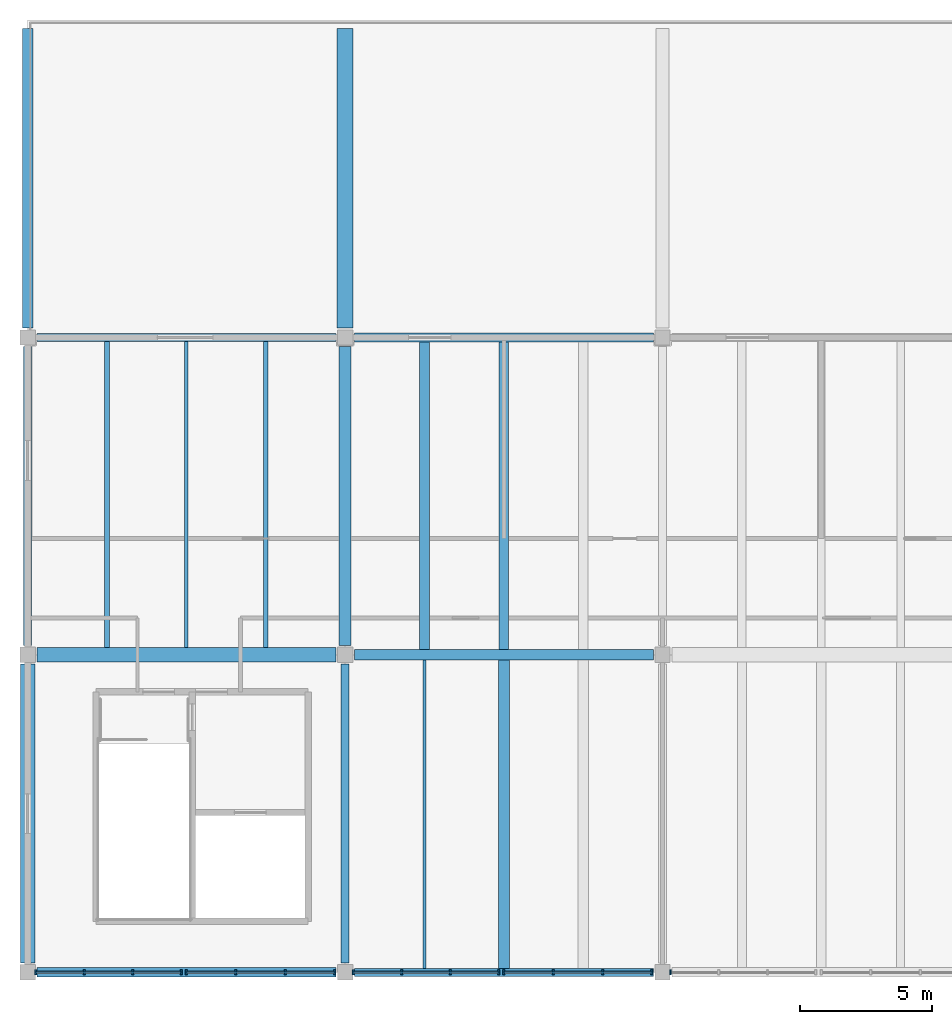
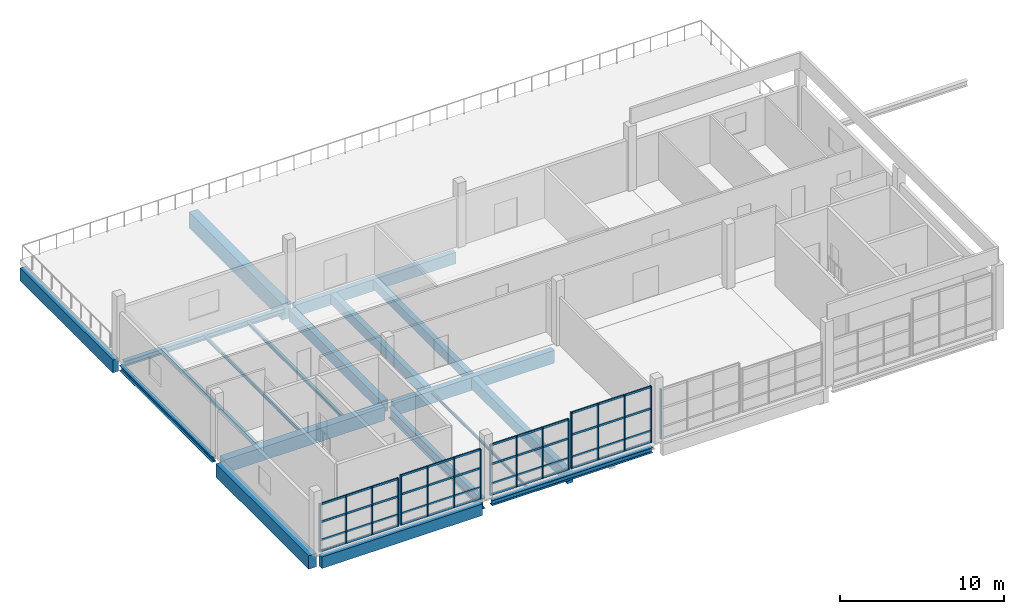
# One storey, part 2 of 8: 33 members, 19 beams, 5 elements without a shape of their own.
"""IFC4 building model written with IfcOpenShell, lengths in metres."""

from ifc_helpers import new_model, si_unit, direction, frame, origin, origin_2d, place, context, subcontext, project, spatial, rectangle, i_section, extrude, material, material_profile, profile_set, type_object, element, aggregate, save


model = new_model("IFC4")

# Units and contexts
model_context = context("Model", 3, precision=1e-05, world=origin(), true_north=direction((0.0, 1.0)))
body_context = subcontext(model_context, "Body", "Model", "MODEL_VIEW")
ifc_project = project(units=[si_unit("LENGTHUNIT", "METRE"), si_unit("AREAUNIT", "SQUARE_METRE"), si_unit("VOLUMEUNIT", "CUBIC_METRE"), si_unit("PLANEANGLEUNIT", "RADIAN"), si_unit("MASSUNIT", "GRAM", prefix="KILO")], contexts=[model_context])

# Site, building, storey
site_placement = place(None, origin())
site = spatial("IfcSite", under=ifc_project, at=site_placement, CompositionType="ELEMENT")
building_placement = place(site_placement, origin())
building = spatial("IfcBuilding", under=site, at=building_placement, Name="Kamomehara Wholesale Market", CompositionType="ELEMENT")
storey_placement = place(building_placement, frame((0.0, 0.0, 16.199951171875)))
storey = spatial("IfcBuildingStorey", under=building, at=storey_placement, Name="L03", CompositionType="ELEMENT", Elevation=16.199951171875)

# Beams
ifc_material_1 = material(Name="Precast concrete Fc45 (C40/50)", Category="concrete")
ifc_material_profile_1 = material_profile(ifc_material_1, rectangle(XDim=0.60009765625, YDim=1.199951171875, at=origin_2d()), Name="PC-GRD-600x1200")
ifc_profile_set_1 = profile_set([ifc_material_profile_1], Name="Precast concrete Fc45 (C40/50)")
beam_type_1 = type_object("IfcBeamType", Name="BM-PG1200", PredefinedType="T_BEAM", material=ifc_profile_set_1)
beam_1_placement = place(storey_placement, frame((120.0, 36.35009765625, -0.947021484375), z_axis=(0.0, 1.0, 0.0), x_axis=(-1.0, 0.0, 0.0)))
element("IfcBeam", 1, at=beam_1_placement, inside=storey, type_object=beam_type_1, Name="Beam PG-05 L03", PredefinedType="T_BEAM", context=body_context, shape_type="SweptSolid", body=[
    extrude(rectangle(XDim=0.60009765625, YDim=1.199951171875, at=origin_2d()), origin(), (0.0, 0.0, 1.0), 11.324951171875),
])
ifc_material_2 = material(Name="Precast concrete Fc45 (C40/50)", Category="concrete")
ifc_material_profile_2 = material_profile(ifc_material_2, rectangle(XDim=0.449951171875, YDim=0.85009765625, at=origin_2d()), Name="PC-GRD-450x850")
ifc_profile_set_2 = profile_set([ifc_material_profile_2], Name="Precast concrete Fc45 (C40/50)")
beam_type_2 = type_object("IfcBeamType", Name="BM-PG850", PredefinedType="T_BEAM", material=ifc_profile_set_2)
beam_2_placement = place(storey_placement, frame((120.0, 24.35009765625, -0.7568359375), z_axis=(0.0, 1.0, 0.0), x_axis=(-1.0, 0.0, 0.0)))
element("IfcBeam", 2, at=beam_2_placement, inside=storey, type_object=beam_type_2, Name="Beam PG-11 L03", PredefinedType="T_BEAM", context=body_context, shape_type="SweptSolid", body=[
    extrude(rectangle(XDim=0.449951171875, YDim=0.85009765625, at=origin_2d()), origin(), (0.0, 0.0, 1.0), 11.2998046875),
])
ifc_material_3 = material(Name="Precast concrete Fc45 (C40/50)", Category="concrete")
ifc_material_profile_3 = material_profile(ifc_material_3, rectangle(XDim=0.360107421875, YDim=0.719970703125, at=origin_2d()), Name="PC-JST-360x720")
ifc_profile_set_3 = profile_set([ifc_material_profile_3], Name="Precast concrete Fc45 (C40/50)")
beam_type_3 = type_object("IfcBeamType", Name="BM-PJ720", PredefinedType="JOIST", material=ifc_profile_set_3)
beam_3_placement = place(storey_placement, frame((126.0, 24.199951171875, -0.69189453125), z_axis=(0.0, 1.0, 0.0), x_axis=(-1.0, 0.0, 0.0)))
element("IfcBeam", 3, at=beam_3_placement, inside=storey, type_object=beam_type_3, Name="Beam PJ-08 L03", PredefinedType="JOIST", context=body_context, shape_type="SweptSolid", body=[
    extrude(rectangle(XDim=0.360107421875, YDim=0.719970703125, at=origin_2d()), origin(), (0.0, 0.0, 1.0), 11.625),
])
ifc_material_4 = material(Name="Precast concrete Fc45 (C40/50)", Category="concrete")
ifc_material_profile_4 = material_profile(ifc_material_4, rectangle(XDim=0.3798828125, YDim=0.75, at=origin_2d()), Name="PC-JST-380x750")
ifc_profile_set_4 = profile_set([ifc_material_profile_4], Name="Precast concrete Fc45 (C40/50)")
beam_type_4 = type_object("IfcBeamType", Name="BM-PJ750", PredefinedType="JOIST", material=ifc_profile_set_4)
beam_4_placement = place(storey_placement, frame((123.0, 24.199951171875, -0.70703125), z_axis=(0.0, 1.0, 0.0), x_axis=(-1.0, 0.0, 0.0)))
element("IfcBeam", 4, at=beam_4_placement, inside=storey, type_object=beam_type_4, Name="Beam PJ-02 L03", PredefinedType="JOIST", context=body_context, shape_type="SweptSolid", body=[
    extrude(rectangle(XDim=0.3798828125, YDim=0.75, at=origin_2d()), origin(), (0.0, 0.0, 1.0), 11.625),
])
ifc_material_5 = material(Name="Precast concrete Fc45 (C40/50)", Category="concrete")
ifc_material_profile_5 = material_profile(ifc_material_5, rectangle(XDim=0.419921875, YDim=0.840087890625, at=origin_2d()), Name="PC-JST-420x840")
ifc_profile_set_5 = profile_set([ifc_material_profile_5], Name="Precast concrete Fc45 (C40/50)")
beam_type_5 = type_object("IfcBeamType", Name="BM-PJ840", PredefinedType="JOIST", material=ifc_profile_set_5)
beam_5_placement = place(storey_placement, frame((126.0, 12.14990234375, -0.761962890625), z_axis=(0.0, 1.0, 0.0), x_axis=(-1.0, 0.0, 0.0)))
element("IfcBeam", 5, at=beam_5_placement, inside=storey, type_object=beam_type_5, Name="Beam PJ-07 L03", PredefinedType="JOIST", context=body_context, shape_type="SweptSolid", body=[
    extrude(rectangle(XDim=0.419921875, YDim=0.840087890625, at=origin_2d()), origin(), (0.0, 0.0, 1.0), 11.650146484375),
])
ifc_material_6 = material(Name="Concrete Fc36 (C35/45)", Category="concrete")
ifc_material_profile_6 = material_profile(ifc_material_6, rectangle(XDim=0.550048828125, YDim=1.0, at=origin_2d()), Name="RC-SEB-550x1000")
ifc_profile_set_6 = profile_set([ifc_material_profile_6], Name="Concrete Fc36 (C35/45)")
beam_type_6 = type_object("IfcBeamType", Name="BM-SEB1000-EXT", PredefinedType="SPANDREL", material=ifc_profile_set_6)
for number, where, z_axis, x_axis, name in (
    (6, (108.0, 12.35009765625, -0.822021484375), (0.0, 1.0, 0.0), (-1.0, 0.0, 0.0), "Beam SEB-03E L03"),
    (7, (108.35009765625, 24.0, -0.822021484375), (1.0, 0.0, 0.0), (0.0, 1.0, 0.0), "Beam SEB-03E L03"),
):
    element("IfcBeam", number, at=place(storey_placement, frame(where, z_axis=z_axis, x_axis=x_axis)), inside=storey, type_object=beam_type_6, Name=name, PredefinedType="SPANDREL", context=body_context, shape_type="SweptSolid", body=[
        extrude(rectangle(XDim=0.550048828125, YDim=1.0, at=origin_2d()), origin(), (0.0, 0.0, 1.0), 11.2998046875),
    ])
ifc_material_7 = material(Name="Precast concrete Fc45 (C40/50)", Category="concrete")
ifc_material_profile_7 = material_profile(ifc_material_7, rectangle(XDim=0.35009765625, YDim=0.85009765625, at=origin_2d()), Name="PC-SPN-350x850")
ifc_profile_set_7 = profile_set([ifc_material_profile_7], Name="Precast concrete Fc45 (C40/50)")
beam_type_7 = type_object("IfcBeamType", Name="BM-SPN850-EXT", PredefinedType="SPANDREL", material=ifc_profile_set_7)
for number, where, z_axis, x_axis, name in (
    (8, (108.35009765625, 12.0, -0.7470703125), (1.0, 0.0, 0.0), (0.0, 1.0, 0.0), "Beam SPN-02E L03"),
    (9, (120.35009765625, 36.0, -0.77197265625), (1.0, 0.0, 0.0), (0.0, 1.0, 0.0), "Beam SPN-02E L03"),
):
    element("IfcBeam", number, at=place(storey_placement, frame(where, z_axis=z_axis, x_axis=x_axis)), inside=storey, type_object=beam_type_7, Name=name, PredefinedType="SPANDREL", context=body_context, shape_type="SweptSolid", body=[
        extrude(rectangle(XDim=0.35009765625, YDim=0.85009765625, at=origin_2d()), origin(), (0.0, 0.0, 1.0), 11.2998046875),
    ])
ifc_material_8 = material(Name="Precast concrete Fc45 (C40/50)", Category="concrete")
ifc_material_profile_8 = material_profile(ifc_material_8, rectangle(XDim=0.39990234375, YDim=0.949951171875, at=origin_2d()), Name="PC-SPN-400x950")
ifc_profile_set_8 = profile_set([ifc_material_profile_8], Name="Precast concrete Fc45 (C40/50)")
beam_type_8 = type_object("IfcBeamType", Name="BM-SPN950-EXT", PredefinedType="SPANDREL", material=ifc_profile_set_8)
beam_6_placement = place(storey_placement, frame((120.35009765625, 24.0, -0.81689453125), z_axis=(1.0, 0.0, 0.0), x_axis=(0.0, 1.0, 0.0)))
element("IfcBeam", 10, at=beam_6_placement, inside=storey, type_object=beam_type_8, Name="Beam SPN-01E L03", PredefinedType="SPANDREL", context=body_context, shape_type="SweptSolid", body=[
    extrude(rectangle(XDim=0.39990234375, YDim=0.949951171875, at=origin_2d()), origin(), (0.0, 0.0, 1.0), 11.2998046875),
])
beam_7_placement = place(storey_placement, frame((108.0, 36.35009765625, -0.822021484375), z_axis=(0.0, 1.0, 0.0), x_axis=(-1.0, 0.0, 0.0)))
element("IfcBeam", 11, at=beam_7_placement, inside=storey, type_object=beam_type_8, Name="Beam SPN-01E L03", PredefinedType="SPANDREL", context=body_context, shape_type="SweptSolid", body=[
    extrude(rectangle(XDim=0.39990234375, YDim=0.949951171875, at=origin_2d()), origin(), (0.0, 0.0, 1.0), 11.324951171875),
])
ifc_material_9 = material(Name="Steel SN400B", Category="steel")
ifc_material_profile_9 = material_profile(ifc_material_9, i_section(OverallWidth=0.10009765625, OverallDepth=0.199951171875, WebThickness=0.005615234375, FlangeThickness=0.008056640625, FilletRadius=0.008056640625, at=origin_2d()), Name="H-200x100x5.5x8")
ifc_profile_set_9 = profile_set([ifc_material_profile_9], Name="Steel SN400B")
beam_type_9 = type_object("IfcBeamType", Name="BM-ST-H200", PredefinedType="LINTEL", material=ifc_profile_set_9)
beam_8_placement = place(storey_placement, frame((123.0, 12.14990234375, -0.44189453125), z_axis=(0.0, 1.0, 0.0), x_axis=(-1.0, 0.0, 0.0)))
element("IfcBeam", 12, at=beam_8_placement, inside=storey, type_object=beam_type_9, Name="Beam SJ-07 L03", PredefinedType="LINTEL", context=body_context, shape_type="SweptSolid", body=[
    extrude(i_section(OverallWidth=0.10009765625, OverallDepth=0.199951171875, WebThickness=0.005615234375, FlangeThickness=0.008056640625, FilletRadius=0.008056640625, at=origin_2d()), origin(), (0.0, 0.0, 1.0), 11.650146484375),
])
ifc_material_10 = material(Name="Steel SN400B", Category="steel")
ifc_material_profile_10 = material_profile(ifc_material_10, i_section(OverallWidth=0.175048828125, OverallDepth=0.243896484375, WebThickness=0.007080078125, FlangeThickness=0.010986328125, FilletRadius=0.010986328125, at=origin_2d()), Name="H-244x175x7x11")
ifc_profile_set_10 = profile_set([ifc_material_profile_10], Name="Steel SN400B")
beam_type_10 = type_object("IfcBeamType", Name="BM-ST-H244", PredefinedType="JOIST", material=ifc_profile_set_10)
beam_9_placement = place(storey_placement, frame((117.0, 24.27490234375, -0.433837890625), z_axis=(0.0, 1.0, 0.0), x_axis=(-1.0, 0.0, 0.0)))
element("IfcBeam", 13, at=beam_9_placement, inside=storey, type_object=beam_type_10, Name="Beam SJ-10 L03", PredefinedType="JOIST", context=body_context, shape_type="SweptSolid", body=[
    extrude(i_section(OverallWidth=0.175048828125, OverallDepth=0.243896484375, WebThickness=0.007080078125, FlangeThickness=0.010986328125, FilletRadius=0.010986328125, at=origin_2d()), origin(), (0.0, 0.0, 1.0), 11.5751953125),
])
ifc_material_11 = material(Name="Steel SN400B", Category="steel")
ifc_material_profile_11 = material_profile(ifc_material_11, i_section(OverallWidth=0.125, OverallDepth=0.25, WebThickness=0.006103515625, FlangeThickness=0.009033203125, FilletRadius=0.008056640625, at=origin_2d()), Name="H-250x125x6x9")
ifc_profile_set_11 = profile_set([ifc_material_profile_11], Name="Steel SN400B")
beam_type_11 = type_object("IfcBeamType", Name="BM-ST-H250", PredefinedType="JOIST", material=ifc_profile_set_11)
beam_10_placement = place(storey_placement, frame((114.0, 24.27490234375, -0.43701171875), z_axis=(0.0, 1.0, 0.0), x_axis=(-1.0, 0.0, 0.0)))
element("IfcBeam", 14, at=beam_10_placement, inside=storey, type_object=beam_type_11, Name="Beam SJ-06 L03", PredefinedType="JOIST", context=body_context, shape_type="SweptSolid", body=[
    extrude(i_section(OverallWidth=0.125, OverallDepth=0.25, WebThickness=0.006103515625, FlangeThickness=0.009033203125, FilletRadius=0.008056640625, at=origin_2d()), origin(), (0.0, 0.0, 1.0), 11.5751953125),
])
ifc_material_12 = material(Name="Steel SN400B", Category="steel")
ifc_material_profile_12 = material_profile(ifc_material_12, i_section(OverallWidth=0.199951171875, OverallDepth=0.2939453125, WebThickness=0.008056640625, FlangeThickness=0.011962890625, FilletRadius=0.012939453125, at=origin_2d()), Name="H-294x200x8x12")
ifc_profile_set_12 = profile_set([ifc_material_profile_12], Name="Steel SN400B")
beam_type_12 = type_object("IfcBeamType", Name="BM-ST-H294", PredefinedType="JOIST", material=ifc_profile_set_12)
beam_11_placement = place(storey_placement, frame((111.0, 24.27490234375, -0.458984375), z_axis=(0.0, 1.0, 0.0), x_axis=(-1.0, 0.0, 0.0)))
element("IfcBeam", 15, at=beam_11_placement, inside=storey, type_object=beam_type_12, Name="Beam SJ-09 L03", PredefinedType="JOIST", context=body_context, shape_type="SweptSolid", body=[
    extrude(i_section(OverallWidth=0.199951171875, OverallDepth=0.2939453125, WebThickness=0.008056640625, FlangeThickness=0.011962890625, FilletRadius=0.012939453125, at=origin_2d()), origin(), (0.0, 0.0, 1.0), 11.5751953125),
])
ifc_material_13 = material(Name="Steel SN490B", Category="steel")
ifc_material_profile_13 = material_profile(ifc_material_13, i_section(OverallWidth=0.300048828125, OverallDepth=0.389892578125, WebThickness=0.010009765625, FlangeThickness=0.01611328125, FilletRadius=0.01806640625, at=origin_2d()), Name="H-390x300x10x16")
ifc_profile_set_13 = profile_set([ifc_material_profile_13], Name="Steel SN490B")
beam_type_13 = type_object("IfcBeamType", Name="BM-ST-H390-EXT", PredefinedType="SPANDREL", material=ifc_profile_set_13)
for number, where, z_axis, x_axis, name in (
    (16, (120.35009765625, 12.0, -0.536865234375), (1.0, 0.0, 0.0), (0.0, 1.0, 0.0), "Beam SJ-03E L03"),
    (17, (108.0, 24.35009765625, -0.5068359375), (0.0, 1.0, 0.0), (-1.0, 0.0, 0.0), "Beam SJ-03E L03"),
    (18, (108.35009765625, 36.0, -0.5419921875), (1.0, 0.0, 0.0), (0.0, 1.0, 0.0), "Beam SJ-03E L03"),
):
    element("IfcBeam", number, at=place(storey_placement, frame(where, z_axis=z_axis, x_axis=x_axis)), inside=storey, type_object=beam_type_13, Name=name, PredefinedType="SPANDREL", context=body_context, shape_type="SweptSolid", body=[
        extrude(i_section(OverallWidth=0.300048828125, OverallDepth=0.389892578125, WebThickness=0.010009765625, FlangeThickness=0.01611328125, FilletRadius=0.01806640625, at=origin_2d()), origin(), (0.0, 0.0, 1.0), 11.2998046875),
    ])
ifc_material_14 = material(Name="Steel SN490B", Category="steel")
ifc_material_profile_14 = material_profile(ifc_material_14, i_section(OverallWidth=0.300048828125, OverallDepth=0.7919921875, WebThickness=0.013916015625, FlangeThickness=0.02197265625, FilletRadius=0.02392578125, at=origin_2d()), Name="H-792x300x14x22")
ifc_profile_set_14 = profile_set([ifc_material_profile_14], Name="Steel SN490B")
beam_type_14 = type_object("IfcBeamType", Name="BM-ST-H792", PredefinedType="BEAM", material=ifc_profile_set_14)
beam_12_placement = place(storey_placement, frame((120.0, 12.35009765625, -0.738037109375), z_axis=(0.0, 1.0, 0.0), x_axis=(-1.0, 0.0, 0.0)))
element("IfcBeam", 19, at=beam_12_placement, inside=storey, type_object=beam_type_14, Name="Beam SG-09 L03", PredefinedType="BEAM", context=body_context, shape_type="SweptSolid", body=[
    extrude(i_section(OverallWidth=0.300048828125, OverallDepth=0.7919921875, WebThickness=0.013916015625, FlangeThickness=0.02197265625, FilletRadius=0.02392578125, at=origin_2d()), origin(), (0.0, 0.0, 1.0), 11.2998046875),
])

# Curtain wall, members
ifc_material_15 = material(Name="Anodised aluminium 6063-T5", Category="aluminium")
curtain_wall_type = type_object("IfcCurtainWallType", Name="CW-UN-01", PredefinedType="NOTDEFINED", material=ifc_material_15)
curtain_wall_1_placement = place(storey_placement, origin())
curtain_wall_1 = element("IfcCurtainWall", 20, at=curtain_wall_1_placement, inside=storey, type_object=curtain_wall_type, Name="Unitised curtain wall CW-151", PredefinedType="NOTDEFINED")
ifc_material_16 = material(Name="Anodised aluminium 6063-T5", Category="aluminium")
ifc_material_profile_15 = material_profile(ifc_material_16, rectangle(XDim=0.074951171875, YDim=0.179931640625, at=origin_2d()), Name="ALU-MUL-75x180")
ifc_profile_set_15 = profile_set([ifc_material_profile_15], Name="Anodised aluminium 6063-T5")
member_type_1 = type_object("IfcMemberType", Name="CW-MUL-180", PredefinedType="MULLION", material=ifc_profile_set_15)
member_1_placement = place(storey_placement, frame((119.60009765625, 12.0, 0.0), z_axis=(0.0, 0.0, 1.0), x_axis=(-1.0, 0.0, 0.0)))
member_1 = element("IfcMember", 21, at=member_1_placement, type_object=member_type_1, Name="Mullion CW-151.0", PredefinedType="MULLION", context=body_context, shape_type="SweptSolid", body=[
    extrude(rectangle(XDim=0.074951171875, YDim=0.179931640625, at=origin_2d()), origin(), (0.0, 0.0, 1.0), 3.7080078125),
])
member_2_placement = place(storey_placement, frame((117.73291015625, 12.0, 0.0), z_axis=(0.0, 0.0, 1.0), x_axis=(-1.0, 0.0, 0.0)))
member_2 = element("IfcMember", 22, at=member_2_placement, type_object=member_type_1, Name="Mullion CW-151.1", PredefinedType="MULLION", context=body_context, shape_type="SweptSolid", body=[
    extrude(rectangle(XDim=0.074951171875, YDim=0.179931640625, at=origin_2d()), origin(), (0.0, 0.0, 1.0), 3.7080078125),
])
member_3_placement = place(storey_placement, frame((115.866943359375, 12.0, 0.0), z_axis=(0.0, 0.0, 1.0), x_axis=(-1.0, 0.0, 0.0)))
member_3 = element("IfcMember", 23, at=member_3_placement, type_object=member_type_1, Name="Mullion CW-151.2", PredefinedType="MULLION", context=body_context, shape_type="SweptSolid", body=[
    extrude(rectangle(XDim=0.074951171875, YDim=0.179931640625, at=origin_2d()), origin(), (0.0, 0.0, 1.0), 3.7080078125),
])
member_4_placement = place(storey_placement, frame((114.0, 12.0, 0.0), z_axis=(0.0, 0.0, 1.0), x_axis=(-1.0, 0.0, 0.0)))
member_4 = element("IfcMember", 24, at=member_4_placement, type_object=member_type_1, Name="Mullion CW-151.3", PredefinedType="MULLION", context=body_context, shape_type="SweptSolid", body=[
    extrude(rectangle(XDim=0.074951171875, YDim=0.179931640625, at=origin_2d()), origin(), (0.0, 0.0, 1.0), 3.7080078125),
])

curtain_wall_2_placement = place(storey_placement, origin())
curtain_wall_2 = element("IfcCurtainWall", 25, at=curtain_wall_2_placement, inside=storey, type_object=curtain_wall_type, Name="Unitised curtain wall CW-152", PredefinedType="NOTDEFINED")
member_5_placement = place(storey_placement, frame((113.800048828125, 12.0, 0.0), z_axis=(0.0, 0.0, 1.0), x_axis=(-1.0, 0.0, 0.0)))
member_5 = element("IfcMember", 26, at=member_5_placement, type_object=member_type_1, Name="Mullion CW-152.0", PredefinedType="MULLION", context=body_context, shape_type="SweptSolid", body=[
    extrude(rectangle(XDim=0.074951171875, YDim=0.179931640625, at=origin_2d()), origin(), (0.0, 0.0, 1.0), 3.55810546875),
])
member_6_placement = place(storey_placement, frame((111.967041015625, 12.0, 0.0), z_axis=(0.0, 0.0, 1.0), x_axis=(-1.0, 0.0, 0.0)))
member_6 = element("IfcMember", 27, at=member_6_placement, type_object=member_type_1, Name="Mullion CW-152.1", PredefinedType="MULLION", context=body_context, shape_type="SweptSolid", body=[
    extrude(rectangle(XDim=0.074951171875, YDim=0.179931640625, at=origin_2d()), origin(), (0.0, 0.0, 1.0), 3.55810546875),
])
member_7_placement = place(storey_placement, frame((110.133056640625, 12.0, 0.0), z_axis=(0.0, 0.0, 1.0), x_axis=(-1.0, 0.0, 0.0)))
member_7 = element("IfcMember", 28, at=member_7_placement, type_object=member_type_1, Name="Mullion CW-152.2", PredefinedType="MULLION", context=body_context, shape_type="SweptSolid", body=[
    extrude(rectangle(XDim=0.074951171875, YDim=0.179931640625, at=origin_2d()), origin(), (0.0, 0.0, 1.0), 3.55810546875),
])
member_8_placement = place(storey_placement, frame((108.300048828125, 12.0, 0.0), z_axis=(0.0, 0.0, 1.0), x_axis=(-1.0, 0.0, 0.0)))
member_8 = element("IfcMember", 29, at=member_8_placement, type_object=member_type_1, Name="Mullion CW-152.3", PredefinedType="MULLION", context=body_context, shape_type="SweptSolid", body=[
    extrude(rectangle(XDim=0.074951171875, YDim=0.179931640625, at=origin_2d()), origin(), (0.0, 0.0, 1.0), 3.55810546875),
])

curtain_wall_3_placement = place(storey_placement, origin())
curtain_wall_3 = element("IfcCurtainWall", 30, at=curtain_wall_3_placement, inside=storey, type_object=curtain_wall_type, Name="Unitised curtain wall CW-153", PredefinedType="NOTDEFINED")
member_9_placement = place(storey_placement, frame((131.60009765625, 12.0, 0.0), z_axis=(0.0, 0.0, 1.0), x_axis=(-1.0, 0.0, 0.0)))
member_9 = element("IfcMember", 31, at=member_9_placement, type_object=member_type_1, Name="Mullion CW-153.0", PredefinedType="MULLION", context=body_context, shape_type="SweptSolid", body=[
    extrude(rectangle(XDim=0.074951171875, YDim=0.179931640625, at=origin_2d()), origin(), (0.0, 0.0, 1.0), 4.16796875),
])
member_10_placement = place(storey_placement, frame((129.73291015625, 12.0, 0.0), z_axis=(0.0, 0.0, 1.0), x_axis=(-1.0, 0.0, 0.0)))
member_10 = element("IfcMember", 32, at=member_10_placement, type_object=member_type_1, Name="Mullion CW-153.1", PredefinedType="MULLION", context=body_context, shape_type="SweptSolid", body=[
    extrude(rectangle(XDim=0.074951171875, YDim=0.179931640625, at=origin_2d()), origin(), (0.0, 0.0, 1.0), 4.16796875),
])
member_11_placement = place(storey_placement, frame((127.866943359375, 12.0, 0.0), z_axis=(0.0, 0.0, 1.0), x_axis=(-1.0, 0.0, 0.0)))
member_11 = element("IfcMember", 33, at=member_11_placement, type_object=member_type_1, Name="Mullion CW-153.2", PredefinedType="MULLION", context=body_context, shape_type="SweptSolid", body=[
    extrude(rectangle(XDim=0.074951171875, YDim=0.179931640625, at=origin_2d()), origin(), (0.0, 0.0, 1.0), 4.16796875),
])
member_12_placement = place(storey_placement, frame((126.0, 12.0, 0.0), z_axis=(0.0, 0.0, 1.0), x_axis=(-1.0, 0.0, 0.0)))
member_12 = element("IfcMember", 34, at=member_12_placement, type_object=member_type_1, Name="Mullion CW-153.3", PredefinedType="MULLION", context=body_context, shape_type="SweptSolid", body=[
    extrude(rectangle(XDim=0.074951171875, YDim=0.179931640625, at=origin_2d()), origin(), (0.0, 0.0, 1.0), 4.16796875),
])

curtain_wall_4_placement = place(storey_placement, origin())
curtain_wall_4 = element("IfcCurtainWall", 35, at=curtain_wall_4_placement, inside=storey, type_object=curtain_wall_type, Name="Unitised curtain wall CW-154", PredefinedType="NOTDEFINED")
member_13_placement = place(storey_placement, frame((125.800048828125, 12.0, 0.0), z_axis=(0.0, 0.0, 1.0), x_axis=(-1.0, 0.0, 0.0)))
member_13 = element("IfcMember", 36, at=member_13_placement, type_object=member_type_1, Name="Mullion CW-154.0", PredefinedType="MULLION", context=body_context, shape_type="SweptSolid", body=[
    extrude(rectangle(XDim=0.074951171875, YDim=0.179931640625, at=origin_2d()), origin(), (0.0, 0.0, 1.0), 3.76611328125),
])
member_14_placement = place(storey_placement, frame((123.967041015625, 12.0, 0.0), z_axis=(0.0, 0.0, 1.0), x_axis=(-1.0, 0.0, 0.0)))
member_14 = element("IfcMember", 37, at=member_14_placement, type_object=member_type_1, Name="Mullion CW-154.1", PredefinedType="MULLION", context=body_context, shape_type="SweptSolid", body=[
    extrude(rectangle(XDim=0.074951171875, YDim=0.179931640625, at=origin_2d()), origin(), (0.0, 0.0, 1.0), 3.76611328125),
])
member_15_placement = place(storey_placement, frame((122.133056640625, 12.0, 0.0), z_axis=(0.0, 0.0, 1.0), x_axis=(-1.0, 0.0, 0.0)))
member_15 = element("IfcMember", 38, at=member_15_placement, type_object=member_type_1, Name="Mullion CW-154.2", PredefinedType="MULLION", context=body_context, shape_type="SweptSolid", body=[
    extrude(rectangle(XDim=0.074951171875, YDim=0.179931640625, at=origin_2d()), origin(), (0.0, 0.0, 1.0), 3.76611328125),
])
member_16_placement = place(storey_placement, frame((120.300048828125, 12.0, 0.0), z_axis=(0.0, 0.0, 1.0), x_axis=(-1.0, 0.0, 0.0)))
member_16 = element("IfcMember", 39, at=member_16_placement, type_object=member_type_1, Name="Mullion CW-154.3", PredefinedType="MULLION", context=body_context, shape_type="SweptSolid", body=[
    extrude(rectangle(XDim=0.074951171875, YDim=0.179931640625, at=origin_2d()), origin(), (0.0, 0.0, 1.0), 3.76611328125),
])

# Curtain wall, member
curtain_wall_5_placement = place(storey_placement, origin())
curtain_wall_5 = element("IfcCurtainWall", 40, at=curtain_wall_5_placement, inside=storey, type_object=curtain_wall_type, Name="Unitised curtain wall CW-156", PredefinedType="NOTDEFINED")
member_17_placement = place(storey_placement, frame((132.300048828125, 12.0, 0.0), z_axis=(0.0, 0.0, 1.0), x_axis=(-1.0, 0.0, 0.0)))
member_17 = element("IfcMember", 41, at=member_17_placement, type_object=member_type_1, Name="Mullion CW-156.3", PredefinedType="MULLION", context=body_context, shape_type="SweptSolid", body=[
    extrude(rectangle(XDim=0.074951171875, YDim=0.179931640625, at=origin_2d()), origin(), (0.0, 0.0, 1.0), 3.7080078125),
])
aggregate(curtain_wall_5, [member_17])

# Member
ifc_material_17 = material(Name="Anodised aluminium 6063-T5", Category="aluminium")
ifc_material_profile_16 = material_profile(ifc_material_17, rectangle(XDim=0.074951171875, YDim=0.14990234375, at=origin_2d()), Name="ALU-TRN-75x150")
ifc_profile_set_16 = profile_set([ifc_material_profile_16], Name="Anodised aluminium 6063-T5")
member_type_2 = type_object("IfcMemberType", Name="CW-TRN-150", PredefinedType="USERDEFINED", material=ifc_profile_set_16)
member_18_placement = place(storey_placement, frame((119.60009765625, 12.0, 0.0400390625), z_axis=(-1.0, 0.0, 0.0), x_axis=(0.0, -1.0, 0.0)))
member_18 = element("IfcMember", 42, at=member_18_placement, type_object=member_type_2, Name="Transom CW-151.0", ObjectType="TRANSOM", PredefinedType="USERDEFINED", context=body_context, shape_type="SweptSolid", body=[
    extrude(rectangle(XDim=0.074951171875, YDim=0.14990234375, at=origin_2d()), origin(), (0.0, 0.0, 1.0), 5.60009765625),
])

member_19_placement = place(storey_placement, frame((119.60009765625, 12.0, 0.85009765625), z_axis=(-1.0, 0.0, 0.0), x_axis=(0.0, -1.0, 0.0)))
member_19 = element("IfcMember", 43, at=member_19_placement, type_object=member_type_2, Name="Transom CW-151.1", ObjectType="TRANSOM", PredefinedType="USERDEFINED", context=body_context, shape_type="SweptSolid", body=[
    extrude(rectangle(XDim=0.074951171875, YDim=0.14990234375, at=origin_2d()), origin(), (0.0, 0.0, 1.0), 5.60009765625),
])

member_20_placement = place(storey_placement, frame((119.60009765625, 12.0, 2.279052734375), z_axis=(-1.0, 0.0, 0.0), x_axis=(0.0, -1.0, 0.0)))
member_20 = element("IfcMember", 44, at=member_20_placement, type_object=member_type_2, Name="Transom CW-151.2", ObjectType="TRANSOM", PredefinedType="USERDEFINED", context=body_context, shape_type="SweptSolid", body=[
    extrude(rectangle(XDim=0.074951171875, YDim=0.14990234375, at=origin_2d()), origin(), (0.0, 0.0, 1.0), 5.60009765625),
])

member_21_placement = place(storey_placement, frame((119.60009765625, 12.0, 3.66796875), z_axis=(-1.0, 0.0, 0.0), x_axis=(0.0, -1.0, 0.0)))
member_21 = element("IfcMember", 45, at=member_21_placement, type_object=member_type_2, Name="Transom CW-151.3", ObjectType="TRANSOM", PredefinedType="USERDEFINED", context=body_context, shape_type="SweptSolid", body=[
    extrude(rectangle(XDim=0.074951171875, YDim=0.14990234375, at=origin_2d()), origin(), (0.0, 0.0, 1.0), 5.60009765625),
])

aggregate(curtain_wall_1, [member_1, member_2, member_3, member_4, member_18, member_19, member_20, member_21])

member_22_placement = place(storey_placement, frame((113.800048828125, 12.0, 0.0400390625), z_axis=(-1.0, 0.0, 0.0), x_axis=(0.0, -1.0, 0.0)))
member_22 = element("IfcMember", 46, at=member_22_placement, type_object=member_type_2, Name="Transom CW-152.0", ObjectType="TRANSOM", PredefinedType="USERDEFINED", context=body_context, shape_type="SweptSolid", body=[
    extrude(rectangle(XDim=0.074951171875, YDim=0.14990234375, at=origin_2d()), origin(), (0.0, 0.0, 1.0), 5.5),
])

member_23_placement = place(storey_placement, frame((113.800048828125, 12.0, 0.85009765625), z_axis=(-1.0, 0.0, 0.0), x_axis=(0.0, -1.0, 0.0)))
member_23 = element("IfcMember", 47, at=member_23_placement, type_object=member_type_2, Name="Transom CW-152.1", ObjectType="TRANSOM", PredefinedType="USERDEFINED", context=body_context, shape_type="SweptSolid", body=[
    extrude(rectangle(XDim=0.074951171875, YDim=0.14990234375, at=origin_2d()), origin(), (0.0, 0.0, 1.0), 5.5),
])

member_24_placement = place(storey_placement, frame((113.800048828125, 12.0, 2.2041015625), z_axis=(-1.0, 0.0, 0.0), x_axis=(0.0, -1.0, 0.0)))
member_24 = element("IfcMember", 48, at=member_24_placement, type_object=member_type_2, Name="Transom CW-152.2", ObjectType="TRANSOM", PredefinedType="USERDEFINED", context=body_context, shape_type="SweptSolid", body=[
    extrude(rectangle(XDim=0.074951171875, YDim=0.14990234375, at=origin_2d()), origin(), (0.0, 0.0, 1.0), 5.5),
])

member_25_placement = place(storey_placement, frame((113.800048828125, 12.0, 3.51806640625), z_axis=(-1.0, 0.0, 0.0), x_axis=(0.0, -1.0, 0.0)))
member_25 = element("IfcMember", 49, at=member_25_placement, type_object=member_type_2, Name="Transom CW-152.3", ObjectType="TRANSOM", PredefinedType="USERDEFINED", context=body_context, shape_type="SweptSolid", body=[
    extrude(rectangle(XDim=0.074951171875, YDim=0.14990234375, at=origin_2d()), origin(), (0.0, 0.0, 1.0), 5.5),
])

aggregate(curtain_wall_2, [member_5, member_6, member_7, member_8, member_22, member_23, member_24, member_25])

member_26_placement = place(storey_placement, frame((131.60009765625, 12.0, 0.0400390625), z_axis=(-1.0, 0.0, 0.0), x_axis=(0.0, -1.0, 0.0)))
member_26 = element("IfcMember", 50, at=member_26_placement, type_object=member_type_2, Name="Transom CW-153.0", ObjectType="TRANSOM", PredefinedType="USERDEFINED", context=body_context, shape_type="SweptSolid", body=[
    extrude(rectangle(XDim=0.074951171875, YDim=0.14990234375, at=origin_2d()), origin(), (0.0, 0.0, 1.0), 5.60009765625),
])

member_27_placement = place(storey_placement, frame((131.60009765625, 12.0, 0.85009765625), z_axis=(-1.0, 0.0, 0.0), x_axis=(0.0, -1.0, 0.0)))
member_27 = element("IfcMember", 51, at=member_27_placement, type_object=member_type_2, Name="Transom CW-153.1", ObjectType="TRANSOM", PredefinedType="USERDEFINED", context=body_context, shape_type="SweptSolid", body=[
    extrude(rectangle(XDim=0.074951171875, YDim=0.14990234375, at=origin_2d()), origin(), (0.0, 0.0, 1.0), 5.60009765625),
])

member_28_placement = place(storey_placement, frame((131.60009765625, 12.0, 2.509033203125), z_axis=(-1.0, 0.0, 0.0), x_axis=(0.0, -1.0, 0.0)))
member_28 = element("IfcMember", 52, at=member_28_placement, type_object=member_type_2, Name="Transom CW-153.2", ObjectType="TRANSOM", PredefinedType="USERDEFINED", context=body_context, shape_type="SweptSolid", body=[
    extrude(rectangle(XDim=0.074951171875, YDim=0.14990234375, at=origin_2d()), origin(), (0.0, 0.0, 1.0), 5.60009765625),
])

member_29_placement = place(storey_placement, frame((131.60009765625, 12.0, 4.1279296875), z_axis=(-1.0, 0.0, 0.0), x_axis=(0.0, -1.0, 0.0)))
member_29 = element("IfcMember", 53, at=member_29_placement, type_object=member_type_2, Name="Transom CW-153.3", ObjectType="TRANSOM", PredefinedType="USERDEFINED", context=body_context, shape_type="SweptSolid", body=[
    extrude(rectangle(XDim=0.074951171875, YDim=0.14990234375, at=origin_2d()), origin(), (0.0, 0.0, 1.0), 5.60009765625),
])

aggregate(curtain_wall_3, [member_9, member_10, member_11, member_12, member_26, member_27, member_28, member_29])

member_30_placement = place(storey_placement, frame((125.800048828125, 12.0, 0.0400390625), z_axis=(-1.0, 0.0, 0.0), x_axis=(0.0, -1.0, 0.0)))
member_30 = element("IfcMember", 54, at=member_30_placement, type_object=member_type_2, Name="Transom CW-154.0", ObjectType="TRANSOM", PredefinedType="USERDEFINED", context=body_context, shape_type="SweptSolid", body=[
    extrude(rectangle(XDim=0.074951171875, YDim=0.14990234375, at=origin_2d()), origin(), (0.0, 0.0, 1.0), 5.5),
])

member_31_placement = place(storey_placement, frame((125.800048828125, 12.0, 0.85009765625), z_axis=(-1.0, 0.0, 0.0), x_axis=(0.0, -1.0, 0.0)))
member_31 = element("IfcMember", 55, at=member_31_placement, type_object=member_type_2, Name="Transom CW-154.1", ObjectType="TRANSOM", PredefinedType="USERDEFINED", context=body_context, shape_type="SweptSolid", body=[
    extrude(rectangle(XDim=0.074951171875, YDim=0.14990234375, at=origin_2d()), origin(), (0.0, 0.0, 1.0), 5.5),
])

member_32_placement = place(storey_placement, frame((125.800048828125, 12.0, 2.30810546875), z_axis=(-1.0, 0.0, 0.0), x_axis=(0.0, -1.0, 0.0)))
member_32 = element("IfcMember", 56, at=member_32_placement, type_object=member_type_2, Name="Transom CW-154.2", ObjectType="TRANSOM", PredefinedType="USERDEFINED", context=body_context, shape_type="SweptSolid", body=[
    extrude(rectangle(XDim=0.074951171875, YDim=0.14990234375, at=origin_2d()), origin(), (0.0, 0.0, 1.0), 5.5),
])

member_33_placement = place(storey_placement, frame((125.800048828125, 12.0, 3.72607421875), z_axis=(-1.0, 0.0, 0.0), x_axis=(0.0, -1.0, 0.0)))
member_33 = element("IfcMember", 57, at=member_33_placement, type_object=member_type_2, Name="Transom CW-154.3", ObjectType="TRANSOM", PredefinedType="USERDEFINED", context=body_context, shape_type="SweptSolid", body=[
    extrude(rectangle(XDim=0.074951171875, YDim=0.14990234375, at=origin_2d()), origin(), (0.0, 0.0, 1.0), 5.5),
])

aggregate(curtain_wall_4, [member_13, member_14, member_15, member_16, member_30, member_31, member_32, member_33])

save(model, "model.ifc")
